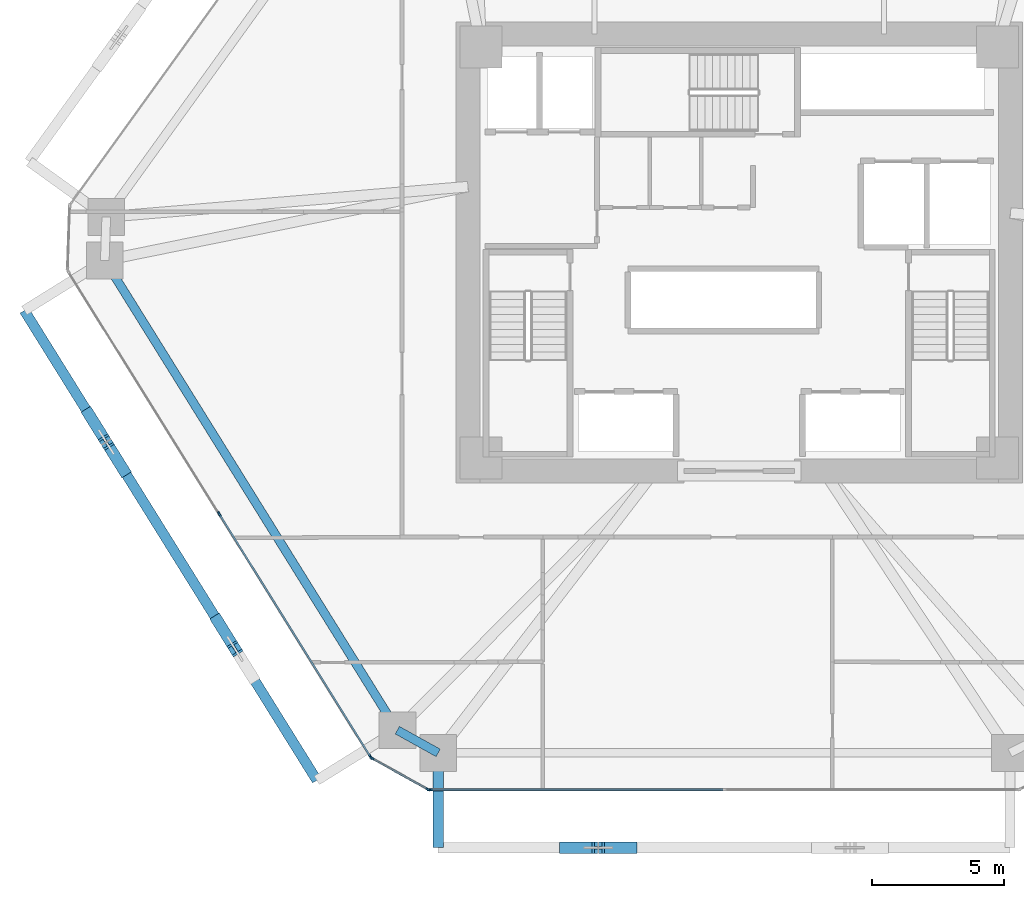
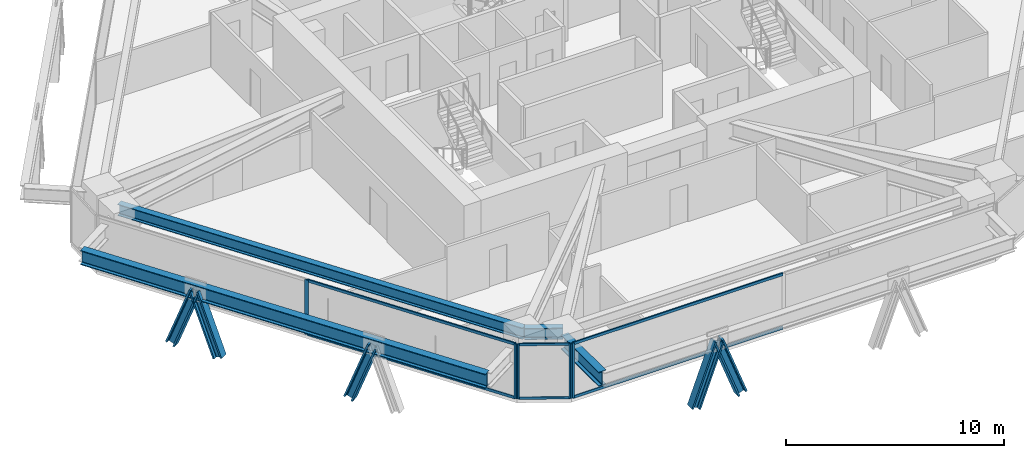
# One storey, part 2 of 17: 16 members, 4 beams, 3 elements without a shape of their own.
"""IFC4 building model written with IfcOpenShell, lengths in metres."""

from ifc_helpers import new_model, si_unit, direction, frame, origin, origin_2d, place, context, subcontext, project, spatial, rectangle, i_section, extrude, source, transform, mapped, material, layer, layer_set, material_profile, profile_set, type_object, type_shapes, element, aggregate, save


model = new_model("IFC4")

# Units and contexts
model_context = context("Model", 3, precision=1e-05, world=origin(), true_north=direction((0.0, 1.0)))
body_context = subcontext(model_context, "Body", "Model", "MODEL_VIEW")
ifc_project = project(units=[si_unit("LENGTHUNIT", "METRE"), si_unit("AREAUNIT", "SQUARE_METRE"), si_unit("VOLUMEUNIT", "CUBIC_METRE"), si_unit("PLANEANGLEUNIT", "RADIAN"), si_unit("MASSUNIT", "GRAM", prefix="KILO")], contexts=[model_context])

# Site, building, storey
site_placement = place(None, origin())
site = spatial("IfcSite", under=ifc_project, at=site_placement, CompositionType="ELEMENT")
building_placement = place(site_placement, origin())
building = spatial("IfcBuilding", under=site, at=building_placement, Name="Durnholm Broadcast Tower", CompositionType="ELEMENT")
storey_placement = place(building_placement, frame((0.0, 0.0, 52.199951171875)))
storey = spatial("IfcBuildingStorey", under=building, at=storey_placement, Name="L12", CompositionType="ELEMENT", Elevation=52.199951171875)

# Beams
ifc_material_1 = material(Name="Steel ASTM A992 Grade 50", Category="steel")
ifc_material_profile_1 = material_profile(ifc_material_1, i_section(OverallWidth=0.3291015625, OverallDepth=0.635009765625, WebThickness=0.017822265625, FlangeThickness=0.031005859375, FilletRadius=0.02783203125, at=origin_2d()), Name="W24X162")
ifc_profile_set_1 = profile_set([ifc_material_profile_1], Name="Steel ASTM A992 Grade 50")
beam_type_1 = type_object("IfcBeamType", Name="STL-SP-W24X162", PredefinedType="SPANDREL", material=ifc_profile_set_1)
shared_shape_1 = source(origin(), body_context, "Body", "SweptSolid", [
    extrude(i_section(OverallWidth=0.3291015625, OverallDepth=0.635009765625, WebThickness=0.017822265625, FlangeThickness=0.031005859375, FilletRadius=0.02783203125, at=origin_2d()), origin(), (0.0, 0.0, 1.0), 21.014404296875),
])
beam_1_placement = place(storey_placement, frame((-12.982666015625, -18.138427734375, 2.7275390625), z_axis=(-0.528595731543, 0.848873696491, 0.0), x_axis=(-0.848873696491, -0.528595731543, 0.0)))
element("IfcBeam", 1, at=beam_1_placement, inside=storey, type_object=beam_type_1, Name="L12 perimeter spandrel girder 01", PredefinedType="SPANDREL", context=body_context, shape_type="MappedRepresentation", body=[
    mapped(shared_shape_1, transform((0.0, 0.0, 0.0), x_axis=(1.0, 0.0, 0.0), y_axis=(0.0, 1.0, 0.0), z_axis=(0.0, 0.0, 1.0), scale=1.0)),
])
shared_shape_2 = source(origin(), body_context, "Body", "SweptSolid", [
    extrude(i_section(OverallWidth=0.3291015625, OverallDepth=0.635009765625, WebThickness=0.017822265625, FlangeThickness=0.031005859375, FilletRadius=0.02783203125, at=origin_2d()), origin(), (0.0, 0.0, 1.0), 1.774658203125),
])
type_shapes(beam_type_1, [shared_shape_1, shared_shape_2])
beam_2_placement = place(storey_placement, frame((-11.43115234375, -19.0, 2.7275390625), z_axis=(-0.874248107979, 0.485479397806, 0.0), x_axis=(-0.485479397806, -0.874248107979, 0.0)))
element("IfcBeam", 2, at=beam_2_placement, inside=storey, type_object=beam_type_1, Name="L12 perimeter spandrel girder 12", PredefinedType="SPANDREL", context=body_context, shape_type="MappedRepresentation", body=[
    mapped(shared_shape_2, transform((0.0, 0.0, 0.0), x_axis=(1.0, 0.0, 0.0), y_axis=(0.0, 1.0, 0.0), z_axis=(0.0, 0.0, 1.0), scale=1.0)),
])
ifc_material_profile_2 = material_profile(ifc_material_1, i_section(OverallWidth=0.385009765625, OverallDepth=0.802978515625, WebThickness=0.023681640625, FlangeThickness=0.0419921875, FilletRadius=0.032958984375, at=origin_2d()), Name="W30X261")
ifc_profile_set_2 = profile_set([ifc_material_profile_2], Name="Steel ASTM A992 Grade 50")
beam_type_2 = type_object("IfcBeamType", Name="BM-EXO-TIE", PredefinedType="USERDEFINED", material=ifc_profile_set_2)
shared_shape_3 = source(origin(), body_context, "Body", "SweptSolid", [
    extrude(i_section(OverallWidth=0.385009765625, OverallDepth=0.802978515625, WebThickness=0.023681640625, FlangeThickness=0.0419921875, FilletRadius=0.032958984375, at=origin_2d()), origin(), (0.0, 0.0, 1.0), 3.4560546875),
])
beam_3_placement = place(storey_placement, frame((-11.43115234375, -19.14404296875, 2.30859375), z_axis=(0.0, -1.0, 0.0), x_axis=(1.0, 0.0, 0.0)))
element("IfcBeam", 3, at=beam_3_placement, inside=storey, type_object=beam_type_2, Name="L12 exoskeleton stand-off tie bracket F1.1", ObjectType="GIRDER", PredefinedType="USERDEFINED", context=body_context, shape_type="MappedRepresentation", body=[
    mapped(shared_shape_3, transform((0.0, 0.0, 0.0), x_axis=(1.0, 0.0, 0.0), y_axis=(0.0, 1.0, 0.0), z_axis=(0.0, 0.0, 1.0), scale=1.0)),
])
shared_shape_4 = source(origin(), body_context, "Body", "SweptSolid", [
    extrude(i_section(OverallWidth=0.385009765625, OverallDepth=0.802978515625, WebThickness=0.023681640625, FlangeThickness=0.0419921875, FilletRadius=0.032958984375, at=origin_2d()), origin(), (0.0, 0.0, 1.0), 21.0146484375),
])
type_shapes(beam_type_2, [shared_shape_3, shared_shape_4])
beam_4_placement = place(storey_placement, frame((-27.146728515625, -2.20263671875, 2.30859375), z_axis=(0.528590518575, -0.848876942597, 0.0), x_axis=(0.848876942597, 0.528590518575, 0.0)))
element("IfcBeam", 4, at=beam_4_placement, inside=storey, type_object=beam_type_2, Name="L12 exoskeleton collector spandrel F6", PredefinedType="SPANDREL", context=body_context, shape_type="MappedRepresentation", body=[
    mapped(shared_shape_4, transform((0.0, 0.0, 0.0), x_axis=(1.0, 0.0, 0.0), y_axis=(0.0, 1.0, 0.0), z_axis=(0.0, 0.0, 1.0), scale=1.0)),
])

# Members
ifc_material_2 = material(Name="Steel ASTM A913 Grade 65", Category="steel")
ifc_material_profile_3 = material_profile(ifc_material_2, i_section(OverallWidth=0.43212890625, OverallDepth=0.497802734375, WebThickness=0.0556640625, FlangeThickness=0.0888671875, FilletRadius=0.030517578125, at=origin_2d()), Name="W14X500")
ifc_profile_set_3 = profile_set([ifc_material_profile_3], Name="Steel ASTM A913 Grade 65")
member_type_1 = type_object("IfcMemberType", Name="STL-DG-W14X500", PredefinedType="BRACE", material=ifc_profile_set_3)
shared_shape_5 = source(origin(), body_context, "Body", "SweptSolid", [
    extrude(i_section(OverallWidth=0.43212890625, OverallDepth=0.497802734375, WebThickness=0.0556640625, FlangeThickness=0.0888671875, FilletRadius=0.030517578125, at=origin_2d()), origin(), (0.0, 0.0, 1.0), 3.523193359375),
])
type_shapes(member_type_1, [shared_shape_5])
for number, where, z_axis, x_axis, name in (
    (5, (-6.585205078125, -22.60009765625, -0.991455078125), (0.350219588454, 0.0, 0.936667625075), (0.0, 1.0, 0.0), "L12 stand-off diagrid brace F1.D1.1"),
    (6, (-4.117431640625, -22.60009765625, -0.991455078125), (-0.350219588454, 0.0, 0.936667625075), (0.0, -1.0, 0.0), "L12 stand-off diagrid brace F1.D1.2"),
    (7, (-24.688720703125, -6.150146484375, -0.991455078125), (0.185157304084, -0.297277258428, 0.936665897941), (0.848819847179, 0.528682198523, 0.0), "L12 stand-off diagrid brace F6.D1.1"),
    (8, (-23.38427734375, -8.244873046875, -0.991455078125), (-0.185090383068, 0.297281072018, 0.936677913861), (-0.848908635391, -0.528539618911, 0.0), "L12 stand-off diagrid brace F6.D1.2"),
    (9, (-19.801025390625, -13.9990234375, -0.991455078125), (0.185090383068, -0.297281072018, 0.936677913861), (0.848908635391, 0.528539618911, 0.0), "L12 stand-off diagrid brace F6.D2.1"),
):
    element("IfcMember", number, at=place(storey_placement, frame(where, z_axis=z_axis, x_axis=x_axis)), inside=storey, type_object=member_type_1, Name=name, PredefinedType="BRACE", context=body_context, shape_type="MappedRepresentation", body=[
        mapped(shared_shape_5, transform((0.0, 0.0, 0.0), x_axis=(1.0, 0.0, 0.0), y_axis=(0.0, 1.0, 0.0), z_axis=(0.0, 0.0, 1.0), scale=1.0)),
    ])

# Curtain wall, members
ifc_material_3 = material(Name="Aluminium and Solar Control IGU", Category="aluminium")
ifc_layer_1 = layer(ifc_material_3, 0.1650390625)
ifc_layer_set_1 = layer_set([ifc_layer_1], Name="Aluminium and Solar Control IGU")
curtain_wall_type_1 = type_object("IfcCurtainWallType", Name="CW-SYS-5", PredefinedType="NOTDEFINED", material=ifc_layer_set_1)
curtain_wall_1_placement = place(storey_placement, origin())
curtain_wall_1 = element("IfcCurtainWall", 10, at=curtain_wall_1_placement, inside=storey, type_object=curtain_wall_type_1, Name="L12 curtain wall CW-CORNER CW-L12-CRN-11", PredefinedType="NOTDEFINED")
ifc_material_4 = material(Name="Aluminium 6063-T6", Category="aluminium")
ifc_material_profile_4 = material_profile(ifc_material_4, rectangle(XDim=0.06494140625, YDim=0.1650390625, at=origin_2d()), Name="CWM65X165")
ifc_profile_set_4 = profile_set([ifc_material_profile_4], Name="Aluminium 6063-T6")
member_type_2 = type_object("IfcMemberType", Name="CW-SYS-5-MUL", PredefinedType="MULLION", material=ifc_profile_set_4)
shared_shape_6 = source(origin(), body_context, "Body", "SweptSolid", [
    extrude(rectangle(XDim=0.06494140625, YDim=0.1650390625, at=origin_2d()), origin(), (0.0, 0.0, 1.0), 3.06005859375),
])
type_shapes(member_type_2, [shared_shape_6])
member_1_placement = place(storey_placement, frame((-11.822265625, -20.38427734375, 0.0), z_axis=(0.0, 0.0, 1.0), x_axis=(-0.485483299359, -0.874245941394, 0.0)))
member_1 = element("IfcMember", 11, at=member_1_placement, type_object=member_type_2, Name="CW-CORNER mullion 1", PredefinedType="MULLION", context=body_context, shape_type="MappedRepresentation", body=[
    mapped(shared_shape_6, transform((0.0, 0.0, 0.0), x_axis=(1.0, 0.0, 0.0), y_axis=(0.0, 1.0, 0.0), z_axis=(0.0, 0.0, 1.0), scale=1.0)),
])
member_2_placement = place(storey_placement, frame((-13.950927734375, -19.2021484375, 0.0), z_axis=(0.0, 0.0, 1.0), x_axis=(-0.485483299359, -0.874245941394, 0.0)))
member_2 = element("IfcMember", 12, at=member_2_placement, type_object=member_type_2, Name="CW-CORNER mullion 2", PredefinedType="MULLION", context=body_context, shape_type="MappedRepresentation", body=[
    mapped(shared_shape_6, transform((0.0, 0.0, 0.0), x_axis=(1.0, 0.0, 0.0), y_axis=(0.0, 1.0, 0.0), z_axis=(0.0, 0.0, 1.0), scale=1.0)),
])
ifc_material_profile_5 = material_profile(ifc_material_4, rectangle(XDim=0.06494140625, YDim=0.1298828125, at=origin_2d()), Name="CWT65X130")
ifc_profile_set_5 = profile_set([ifc_material_profile_5], Name="Aluminium 6063-T6")
member_type_3 = type_object("IfcMemberType", Name="CW-SYS-5-TRN", PredefinedType="USERDEFINED", material=ifc_profile_set_5)
shared_shape_7 = source(origin(), body_context, "Body", "SweptSolid", [
    extrude(rectangle(XDim=0.06494140625, YDim=0.1298828125, at=origin_2d()), origin(), (0.0, 0.0, 1.0), 2.3701171875),
])
type_shapes(member_type_3, [shared_shape_7])
member_3_placement = place(storey_placement, frame((-11.8505859375, -20.368408203125, 0.032470703125), z_axis=(-0.874244723151, 0.485485493132, 0.0), x_axis=(-0.485485493132, -0.874244723151, 0.0)))
member_3 = element("IfcMember", 13, at=member_3_placement, type_object=member_type_3, Name="CW-CORNER transom 1.1", ObjectType="TRANSOM", PredefinedType="USERDEFINED", context=body_context, shape_type="MappedRepresentation", body=[
    mapped(shared_shape_7, transform((0.0, 0.0, 0.0), x_axis=(1.0, 0.0, 0.0), y_axis=(0.0, 1.0, 0.0), z_axis=(0.0, 0.0, 1.0), scale=1.0)),
])
member_4_placement = place(storey_placement, frame((-11.8505859375, -20.368408203125, 3.027587890625), z_axis=(-0.874244723151, 0.485485493132, 0.0), x_axis=(-0.485485493132, -0.874244723151, 0.0)))
member_4 = element("IfcMember", 14, at=member_4_placement, type_object=member_type_3, Name="CW-CORNER transom 1.2", ObjectType="TRANSOM", PredefinedType="USERDEFINED", context=body_context, shape_type="MappedRepresentation", body=[
    mapped(shared_shape_7, transform((0.0, 0.0, 0.0), x_axis=(1.0, 0.0, 0.0), y_axis=(0.0, 1.0, 0.0), z_axis=(0.0, 0.0, 1.0), scale=1.0)),
])
aggregate(curtain_wall_1, [member_1, member_2, member_3, member_4])

# Curtain wall, member
ifc_layer_2 = layer(ifc_material_3, 0.18994140625)
ifc_layer_set_2 = layer_set([ifc_layer_2], Name="Aluminium and Solar Control IGU")
curtain_wall_type_2 = type_object("IfcCurtainWallType", Name="CW-SYS-3", PredefinedType="NOTDEFINED", material=ifc_layer_set_2)
curtain_wall_2_placement = place(storey_placement, origin())
curtain_wall_2 = element("IfcCurtainWall", 15, at=curtain_wall_2_placement, inside=storey, type_object=curtain_wall_type_2, Name="L12 curtain wall CW-Z12-VIS CW-L12-F10", PredefinedType="NOTDEFINED")
ifc_material_profile_6 = material_profile(ifc_material_4, rectangle(XDim=0.070068359375, YDim=0.18994140625, at=origin_2d()), Name="CWM70X190")
ifc_profile_set_6 = profile_set([ifc_material_profile_6], Name="Aluminium 6063-T6")
member_type_4 = type_object("IfcMemberType", Name="CW-SYS-3-MUL", PredefinedType="MULLION", material=ifc_profile_set_6)
shared_shape_8 = source(origin(), body_context, "Body", "SweptSolid", [
    extrude(rectangle(XDim=0.070068359375, YDim=0.18994140625, at=origin_2d()), origin(), (0.0, 0.0, 1.0), 3.06005859375),
])
type_shapes(member_type_4, [shared_shape_8])
member_5_placement = place(storey_placement, frame((-11.7587890625, -20.39990234375, 0.0), z_axis=(0.0, 0.0, 1.0), x_axis=(0.0, -1.0, 0.0)))
member_5 = element("IfcMember", 16, at=member_5_placement, type_object=member_type_4, Name="CW-Z12-VIS mullion 3", PredefinedType="MULLION", context=body_context, shape_type="MappedRepresentation", body=[
    mapped(shared_shape_8, transform((0.0, 0.0, 0.0), x_axis=(1.0, 0.0, 0.0), y_axis=(0.0, 1.0, 0.0), z_axis=(0.0, 0.0, 1.0), scale=1.0)),
])

# Curtain wall, members
curtain_wall_3_placement = place(storey_placement, origin())
curtain_wall_3 = element("IfcCurtainWall", 17, at=curtain_wall_3_placement, inside=storey, type_object=curtain_wall_type_2, Name="L12 curtain wall CW-Z12-VIS CW-L12-F12", PredefinedType="NOTDEFINED")
member_6_placement = place(storey_placement, frame((-13.997802734375, -19.156494140625, 0.0), z_axis=(0.0, 0.0, 1.0), x_axis=(-0.848875785503, -0.528592376777, 0.0)))
member_6 = element("IfcMember", 18, at=member_6_placement, type_object=member_type_4, Name="CW-Z12-VIS mullion 1", PredefinedType="MULLION", context=body_context, shape_type="MappedRepresentation", body=[
    mapped(shared_shape_8, transform((0.0, 0.0, 0.0), x_axis=(1.0, 0.0, 0.0), y_axis=(0.0, 1.0, 0.0), z_axis=(0.0, 0.0, 1.0), scale=1.0)),
])
member_7_placement = place(storey_placement, frame((-19.741943359375, -9.93212890625, 0.0), z_axis=(0.0, 0.0, 1.0), x_axis=(-0.848875785503, -0.528592376777, 0.0)))
member_7 = element("IfcMember", 19, at=member_7_placement, type_object=member_type_4, Name="CW-Z12-VIS mullion 2", PredefinedType="MULLION", context=body_context, shape_type="MappedRepresentation", body=[
    mapped(shared_shape_8, transform((0.0, 0.0, 0.0), x_axis=(1.0, 0.0, 0.0), y_axis=(0.0, 1.0, 0.0), z_axis=(0.0, 0.0, 1.0), scale=1.0)),
])
ifc_material_profile_7 = material_profile(ifc_material_4, rectangle(XDim=0.070068359375, YDim=0.14990234375, at=origin_2d()), Name="CWT70X150")
ifc_profile_set_7 = profile_set([ifc_material_profile_7], Name="Aluminium 6063-T6")
member_type_5 = type_object("IfcMemberType", Name="CW-SYS-3-TRN", PredefinedType="USERDEFINED", material=ifc_profile_set_7)
shared_shape_9 = source(origin(), body_context, "Body", "SweptSolid", [
    extrude(rectangle(XDim=0.070068359375, YDim=0.14990234375, at=origin_2d()), origin(), (0.0, 0.0, 1.0), 10.796630859375),
])
member_8_placement = place(storey_placement, frame((-14.016357421875, -19.126953125, 0.03515625), z_axis=(-0.528591657678, 0.848876233283, 0.0), x_axis=(-0.848876233283, -0.528591657678, 0.0)))
member_8 = element("IfcMember", 20, at=member_8_placement, type_object=member_type_5, Name="CW-Z12-VIS transom 1.1", ObjectType="TRANSOM", PredefinedType="USERDEFINED", context=body_context, shape_type="MappedRepresentation", body=[
    mapped(shared_shape_9, transform((0.0, 0.0, 0.0), x_axis=(1.0, 0.0, 0.0), y_axis=(0.0, 1.0, 0.0), z_axis=(0.0, 0.0, 1.0), scale=1.0)),
])
member_9_placement = place(storey_placement, frame((-14.016357421875, -19.126953125, 3.025146484375), z_axis=(-0.528591657678, 0.848876233283, 0.0), x_axis=(-0.848876233283, -0.528591657678, 0.0)))
member_9 = element("IfcMember", 21, at=member_9_placement, type_object=member_type_5, Name="CW-Z12-VIS transom 1.2", ObjectType="TRANSOM", PredefinedType="USERDEFINED", context=body_context, shape_type="MappedRepresentation", body=[
    mapped(shared_shape_9, transform((0.0, 0.0, 0.0), x_axis=(1.0, 0.0, 0.0), y_axis=(0.0, 1.0, 0.0), z_axis=(0.0, 0.0, 1.0), scale=1.0)),
])
aggregate(curtain_wall_3, [member_6, member_7, member_8, member_9])

# Member
shared_shape_10 = source(origin(), body_context, "Body", "SweptSolid", [
    extrude(rectangle(XDim=0.070068359375, YDim=0.14990234375, at=origin_2d()), origin(), (0.0, 0.0, 1.0), 11.10205078125),
])
type_shapes(member_type_5, [shared_shape_9, shared_shape_10])
member_10_placement = place(storey_placement, frame((-0.621826171875, -20.39990234375, 0.03515625), z_axis=(-1.0, 0.0, 0.0), x_axis=(0.0, -1.0, 0.0)))
member_10 = element("IfcMember", 22, at=member_10_placement, type_object=member_type_5, Name="CW-Z12-VIS transom 2.1", ObjectType="TRANSOM", PredefinedType="USERDEFINED", context=body_context, shape_type="MappedRepresentation", body=[
    mapped(shared_shape_10, transform((0.0, 0.0, 0.0), x_axis=(1.0, 0.0, 0.0), y_axis=(0.0, 1.0, 0.0), z_axis=(0.0, 0.0, 1.0), scale=1.0)),
])

member_11_placement = place(storey_placement, frame((-0.621826171875, -20.39990234375, 3.025146484375), z_axis=(-1.0, 0.0, 0.0), x_axis=(0.0, -1.0, 0.0)))
member_11 = element("IfcMember", 23, at=member_11_placement, type_object=member_type_5, Name="CW-Z12-VIS transom 2.2", ObjectType="TRANSOM", PredefinedType="USERDEFINED", context=body_context, shape_type="MappedRepresentation", body=[
    mapped(shared_shape_10, transform((0.0, 0.0, 0.0), x_axis=(1.0, 0.0, 0.0), y_axis=(0.0, 1.0, 0.0), z_axis=(0.0, 0.0, 1.0), scale=1.0)),
])

aggregate(curtain_wall_2, [member_5, member_10, member_11])

save(model, "model.ifc")
